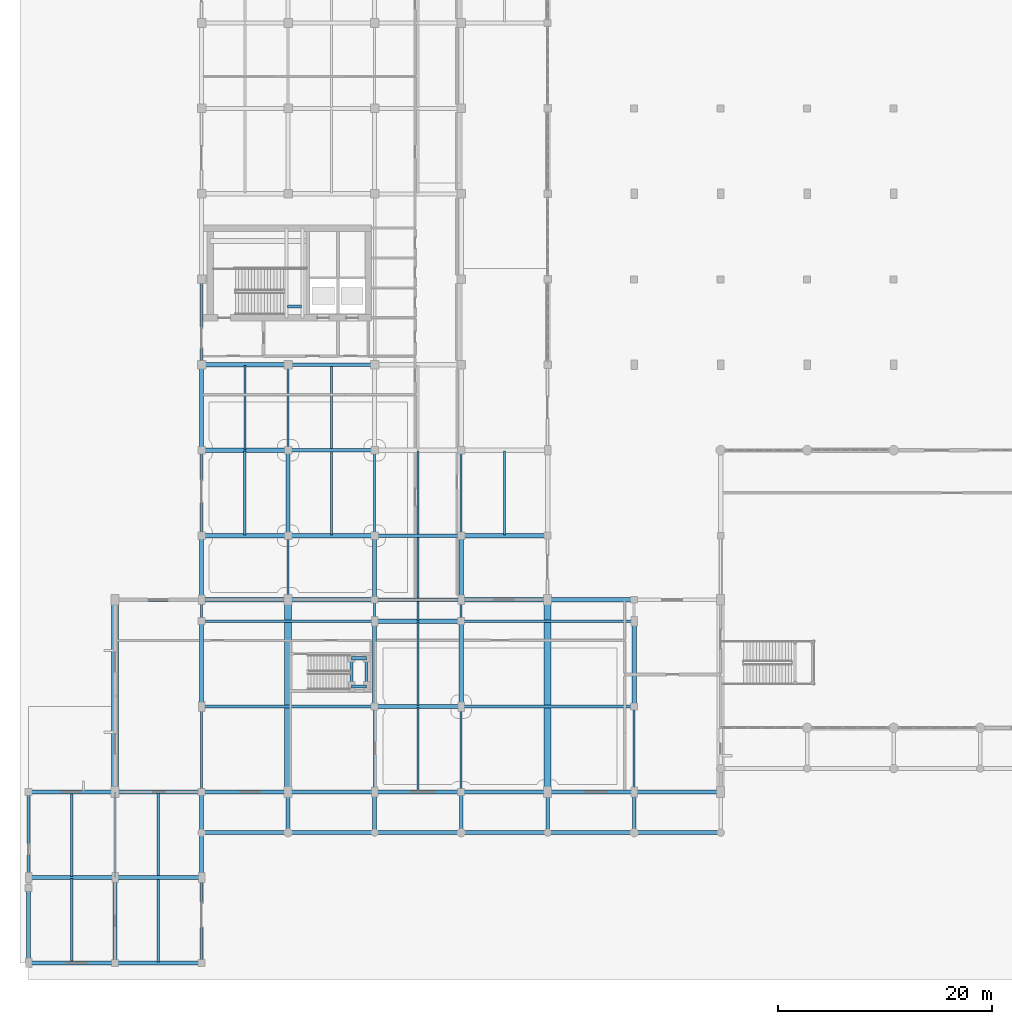
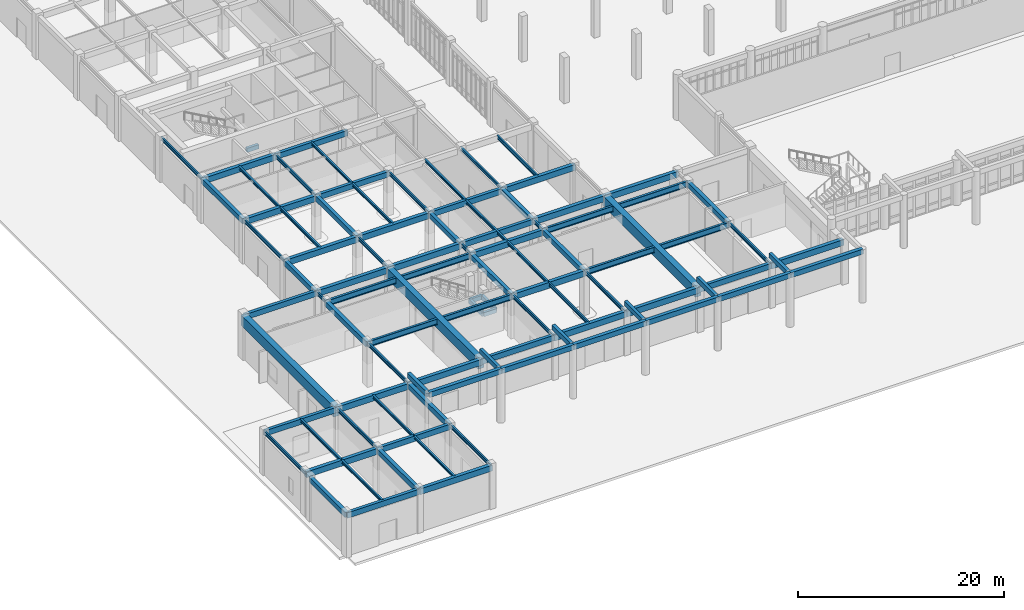
# One storey, part 5 of 62: 93 beams.
"""IFC4 building model written with IfcOpenShell, lengths in metres."""

from ifc_helpers import new_model, si_unit, direction, frame, origin, origin_2d, place, context, subcontext, project, spatial, rectangle, i_section, extrude, material, material_profile, profile_set, type_object, element, save


model = new_model("IFC4")

# Units and contexts
model_context = context("Model", 3, precision=1e-05, world=origin(), true_north=direction((0.0, 1.0)))
body_context = subcontext(model_context, "Body", "Model", "MODEL_VIEW")
ifc_project = project(units=[si_unit("LENGTHUNIT", "METRE"), si_unit("AREAUNIT", "SQUARE_METRE"), si_unit("VOLUMEUNIT", "CUBIC_METRE"), si_unit("PLANEANGLEUNIT", "RADIAN"), si_unit("MASSUNIT", "GRAM", prefix="KILO")], contexts=[model_context])

# Site, building, storey
site_placement = place(None, origin())
site = spatial("IfcSite", under=ifc_project, at=site_placement, CompositionType="ELEMENT")
building_placement = place(site_placement, origin())
building = spatial("IfcBuilding", under=site, at=building_placement, Name="Tarnveldt Square Police Headquarters", CompositionType="ELEMENT")
storey_placement = place(building_placement, origin())
storey = spatial("IfcBuildingStorey", under=building, at=storey_placement, Name="L00", CompositionType="ELEMENT", Elevation=0.0)

# Beams
ifc_material_1 = material(Name="Concrete 40 MPa", Category="concrete")
ifc_material_profile_1 = material_profile(ifc_material_1, rectangle(XDim=0.300048828125, YDim=0.5, at=origin_2d()), Name="RC-B300x500")
ifc_profile_set_1 = profile_set([ifc_material_profile_1], Name="Concrete 40 MPa")
beam_type_1 = type_object("IfcBeamType", Name="BM-RC300x500", PredefinedType="BEAM", material=ifc_profile_set_1)
beam_1_placement = place(storey_placement, frame((24.25, 61.449951171875, 2.25), z_axis=(1.0, 0.0, 0.0), x_axis=(0.0, 1.0, 0.0)))
element("IfcBeam", 1, at=beam_1_placement, inside=storey, type_object=beam_type_1, Name="ST1 L00 Half-Landing Support Beam 2", PredefinedType="BEAM", context=body_context, shape_type="SweptSolid", body=[
    extrude(rectangle(XDim=0.300048828125, YDim=0.5, at=origin_2d()), origin(), (0.0, 0.0, 1.0), 1.300048828125),
])
for number, where, z_axis, x_axis, name in (
    (2, (30.25, 25.8798828125, 2.27001953125), (0.0, 1.0, 0.0), (-1.0, 0.0, 0.0), "ST6 L00 Half-Landing West Support Beam"),
    (3, (31.64990234375, 25.8798828125, 2.27001953125), (0.0, 1.0, 0.0), (-1.0, 0.0, 0.0), "ST6 L00 Half-Landing East Support Beam"),
):
    element("IfcBeam", number, at=place(storey_placement, frame(where, z_axis=z_axis, x_axis=x_axis)), inside=storey, type_object=beam_type_1, Name=name, PredefinedType="BEAM", context=body_context, shape_type="SweptSolid", body=[
        extrude(rectangle(XDim=0.300048828125, YDim=0.5, at=origin_2d()), origin(), (0.0, 0.0, 1.0), 2.64013671875),
    ])
for number, where, z_axis, x_axis, name in (
    (4, (30.25, 25.8798828125, 2.27001953125), (1.0, 0.0, 0.0), (0.0, 1.0, 0.0), "ST6 L00 Half-Landing South Support Beam"),
    (5, (30.25, 28.52001953125, 2.27001953125), (1.0, 0.0, 0.0), (0.0, 1.0, 0.0), "ST6 L00 Half-Landing North Support Beam"),
):
    element("IfcBeam", number, at=place(storey_placement, frame(where, z_axis=z_axis, x_axis=x_axis)), inside=storey, type_object=beam_type_1, Name=name, PredefinedType="BEAM", context=body_context, shape_type="SweptSolid", body=[
        extrude(rectangle(XDim=0.300048828125, YDim=0.5, at=origin_2d()), origin(), (0.0, 0.0, 1.0), 1.39990234375),
    ])
ifc_material_profile_2 = material_profile(ifc_material_1, rectangle(XDim=0.35009765625, YDim=0.550048828125, at=origin_2d()), Name="RC-B350x550")
ifc_profile_set_2 = profile_set([ifc_material_profile_2], Name="Concrete 40 MPa")
beam_type_2 = type_object("IfcBeamType", Name="BM-RC350x550", PredefinedType="BEAM", material=ifc_profile_set_2)
for number, where, z_axis, x_axis, name in (
    (6, (16.199951171875, 12.199951171875, 6.0), (0.0, 1.0, 0.0), (-1.0, 0.0, 0.0), "Colonnade Tie Beam SW-2"),
    (7, (24.300048828125, 12.199951171875, 6.0), (0.0, 1.0, 0.0), (-1.0, 0.0, 0.0), "Colonnade Tie Beam SW-3"),
    (8, (32.39990234375, 12.199951171875, 6.0), (0.0, 1.0, 0.0), (-1.0, 0.0, 0.0), "Colonnade Tie Beam SW-4"),
    (9, (40.5, 12.199951171875, 6.0), (0.0, 1.0, 0.0), (-1.0, 0.0, 0.0), "Colonnade Tie Beam SW-5"),
    (10, (48.60009765625, 12.199951171875, 6.0), (0.0, 1.0, 0.0), (-1.0, 0.0, 0.0), "Colonnade Tie Beam SW-6"),
    (11, (56.699951171875, 12.199951171875, 6.0), (0.0, 1.0, 0.0), (-1.0, 0.0, 0.0), "Colonnade Tie Beam SW-7"),
):
    element("IfcBeam", number, at=place(storey_placement, frame(where, z_axis=z_axis, x_axis=x_axis)), inside=storey, type_object=beam_type_2, Name=name, PredefinedType="BEAM", context=body_context, shape_type="SweptSolid", body=[
        extrude(rectangle(XDim=0.35009765625, YDim=0.550048828125, at=origin_2d()), origin(), (0.0, 0.0, 1.0), 3.800048828125),
    ])
ifc_material_profile_3 = material_profile(ifc_material_1, rectangle(XDim=0.39990234375, YDim=0.60009765625, at=origin_2d()), Name="RC-B400x600")
ifc_profile_set_3 = profile_set([ifc_material_profile_3], Name="Concrete 40 MPa")
beam_type_3 = type_object("IfcBeamType", Name="BM-RC400x600", PredefinedType="BEAM", material=ifc_profile_set_3)
beam_2_placement = place(storey_placement, frame((0.0, 0.0, 4.820068359375), z_axis=(0.0, 1.0, 0.0), x_axis=(-1.0, 0.0, 0.0)))
element("IfcBeam", 12, at=beam_2_placement, inside=storey, type_object=beam_type_3, Name="L01 Grid Girder Y-0335", PredefinedType="BEAM", context=body_context, shape_type="SweptSolid", body=[
    extrude(rectangle(XDim=0.39990234375, YDim=0.60009765625, at=origin_2d()), origin(), (0.0, 0.0, 1.0), 7.0),
])
for number, where, z_axis, x_axis, name in (
    (13, (8.10009765625, 0.0, 4.820068359375), (0.0, 1.0, 0.0), (-1.0, 0.0, 0.0), "L01 Grid Girder Y-0337"),
    (14, (16.199951171875, 8.0, 4.820068359375), (0.0, 1.0, 0.0), (-1.0, 0.0, 0.0), "L01 Grid Girder Y-0341"),
    (15, (16.199951171875, 24.0, 4.820068359375), (0.0, 1.0, 0.0), (-1.0, 0.0, 0.0), "L01 Grid Girder Y-0343"),
):
    element("IfcBeam", number, at=place(storey_placement, frame(where, z_axis=z_axis, x_axis=x_axis)), inside=storey, type_object=beam_type_3, Name=name, PredefinedType="BEAM", context=body_context, shape_type="SweptSolid", body=[
        extrude(rectangle(XDim=0.39990234375, YDim=0.60009765625, at=origin_2d()), origin(), (0.0, 0.0, 1.0), 8.0),
    ])
beam_3_placement = place(storey_placement, frame((16.199951171875, 34.0, 4.820068359375), z_axis=(0.0, 1.0, 0.0), x_axis=(-1.0, 0.0, 0.0)))
element("IfcBeam", 16, at=beam_3_placement, inside=storey, type_object=beam_type_3, Name="L01 Grid Girder Y-0345", PredefinedType="BEAM", context=body_context, shape_type="SweptSolid", body=[
    extrude(rectangle(XDim=0.39990234375, YDim=0.60009765625, at=origin_2d()), origin(), (0.0, 0.0, 1.0), 6.0),
])
for number, where, z_axis, x_axis, name in (
    (17, (16.199951171875, 48.0, 4.820068359375), (0.0, 1.0, 0.0), (-1.0, 0.0, 0.0), "L01 Grid Girder Y-0347"),
    (18, (24.300048828125, 40.0, 4.820068359375), (0.0, 1.0, 0.0), (-1.0, 0.0, 0.0), "L01 Grid Girder Y-0357"),
    (19, (32.39990234375, 24.0, 4.820068359375), (0.0, 1.0, 0.0), (-1.0, 0.0, 0.0), "L01 Grid Girder Y-0363"),
):
    element("IfcBeam", number, at=place(storey_placement, frame(where, z_axis=z_axis, x_axis=x_axis)), inside=storey, type_object=beam_type_3, Name=name, PredefinedType="BEAM", context=body_context, shape_type="SweptSolid", body=[
        extrude(rectangle(XDim=0.39990234375, YDim=0.60009765625, at=origin_2d()), origin(), (0.0, 0.0, 1.0), 8.0),
    ])
beam_4_placement = place(storey_placement, frame((32.39990234375, 34.0, 4.820068359375), z_axis=(0.0, 1.0, 0.0), x_axis=(-1.0, 0.0, 0.0)))
element("IfcBeam", 20, at=beam_4_placement, inside=storey, type_object=beam_type_3, Name="L01 Grid Girder Y-0365", PredefinedType="BEAM", context=body_context, shape_type="SweptSolid", body=[
    extrude(rectangle(XDim=0.39990234375, YDim=0.60009765625, at=origin_2d()), origin(), (0.0, 0.0, 1.0), 6.0),
])
beam_5_placement = place(storey_placement, frame((40.5, 24.0, 4.820068359375), z_axis=(0.0, 1.0, 0.0), x_axis=(-1.0, 0.0, 0.0)))
element("IfcBeam", 21, at=beam_5_placement, inside=storey, type_object=beam_type_3, Name="L01 Grid Girder Y-0375", PredefinedType="BEAM", context=body_context, shape_type="SweptSolid", body=[
    extrude(rectangle(XDim=0.39990234375, YDim=0.60009765625, at=origin_2d()), origin(), (0.0, 0.0, 1.0), 8.0),
])
beam_6_placement = place(storey_placement, frame((40.5, 34.0, 4.820068359375), z_axis=(0.0, 1.0, 0.0), x_axis=(-1.0, 0.0, 0.0)))
element("IfcBeam", 22, at=beam_6_placement, inside=storey, type_object=beam_type_3, Name="L01 Grid Girder Y-0377", PredefinedType="BEAM", context=body_context, shape_type="SweptSolid", body=[
    extrude(rectangle(XDim=0.39990234375, YDim=0.60009765625, at=origin_2d()), origin(), (0.0, 0.0, 1.0), 6.0),
])
beam_7_placement = place(storey_placement, frame((56.699951171875, 24.0, 4.820068359375), z_axis=(0.0, 1.0, 0.0), x_axis=(-1.0, 0.0, 0.0)))
element("IfcBeam", 23, at=beam_7_placement, inside=storey, type_object=beam_type_3, Name="L01 Grid Girder Y-0397", PredefinedType="BEAM", context=body_context, shape_type="SweptSolid", body=[
    extrude(rectangle(XDim=0.39990234375, YDim=0.60009765625, at=origin_2d()), origin(), (0.0, 0.0, 1.0), 8.0),
])
beam_8_placement = place(storey_placement, frame((16.199951171875, 12.199951171875, 6.0), z_axis=(1.0, 0.0, 0.0), x_axis=(0.0, 1.0, 0.0)))
element("IfcBeam", 24, at=beam_8_placement, inside=storey, type_object=beam_type_3, Name="Colonnade Header Beam SW-2", PredefinedType="BEAM", context=body_context, shape_type="SweptSolid", body=[
    extrude(rectangle(XDim=0.39990234375, YDim=0.60009765625, at=origin_2d()), origin(), (0.0, 0.0, 1.0), 8.10009765625),
])
beam_9_placement = place(storey_placement, frame((24.300048828125, 12.199951171875, 6.0), z_axis=(1.0, 0.0, 0.0), x_axis=(0.0, 1.0, 0.0)))
element("IfcBeam", 25, at=beam_9_placement, inside=storey, type_object=beam_type_3, Name="Colonnade Header Beam SW-3", PredefinedType="BEAM", context=body_context, shape_type="SweptSolid", body=[
    extrude(rectangle(XDim=0.39990234375, YDim=0.60009765625, at=origin_2d()), origin(), (0.0, 0.0, 1.0), 8.099853515625),
])
for number, where, z_axis, x_axis, name in (
    (26, (32.39990234375, 12.199951171875, 6.0), (1.0, 0.0, 0.0), (0.0, 1.0, 0.0), "Colonnade Header Beam SW-4"),
    (27, (40.5, 12.199951171875, 6.0), (1.0, 0.0, 0.0), (0.0, 1.0, 0.0), "Colonnade Header Beam SW-5"),
):
    element("IfcBeam", number, at=place(storey_placement, frame(where, z_axis=z_axis, x_axis=x_axis)), inside=storey, type_object=beam_type_3, Name=name, PredefinedType="BEAM", context=body_context, shape_type="SweptSolid", body=[
        extrude(rectangle(XDim=0.39990234375, YDim=0.60009765625, at=origin_2d()), origin(), (0.0, 0.0, 1.0), 8.10009765625),
    ])
beam_10_placement = place(storey_placement, frame((48.60009765625, 12.199951171875, 6.0), z_axis=(1.0, 0.0, 0.0), x_axis=(0.0, 1.0, 0.0)))
element("IfcBeam", 28, at=beam_10_placement, inside=storey, type_object=beam_type_3, Name="Colonnade Header Beam SW-6", PredefinedType="BEAM", context=body_context, shape_type="SweptSolid", body=[
    extrude(rectangle(XDim=0.39990234375, YDim=0.60009765625, at=origin_2d()), origin(), (0.0, 0.0, 1.0), 8.099853515625),
])
beam_11_placement = place(storey_placement, frame((56.699951171875, 12.199951171875, 6.0), z_axis=(1.0, 0.0, 0.0), x_axis=(0.0, 1.0, 0.0)))
element("IfcBeam", 29, at=beam_11_placement, inside=storey, type_object=beam_type_3, Name="Colonnade Header Beam SW-7", PredefinedType="BEAM", context=body_context, shape_type="SweptSolid", body=[
    extrude(rectangle(XDim=0.39990234375, YDim=0.60009765625, at=origin_2d()), origin(), (0.0, 0.0, 1.0), 8.10009765625),
])
ifc_material_profile_4 = material_profile(ifc_material_1, rectangle(XDim=0.39990234375, YDim=0.699951171875, at=origin_2d()), Name="RC-B400x700")
ifc_profile_set_4 = profile_set([ifc_material_profile_4], Name="Concrete 40 MPa")
beam_type_4 = type_object("IfcBeamType", Name="BM-RC400x700", PredefinedType="BEAM", material=ifc_profile_set_4)
beam_12_placement = place(storey_placement, frame((8.10009765625, 0.0, 4.77001953125), z_axis=(1.0, 0.0, 0.0), x_axis=(0.0, 1.0, 0.0)))
element("IfcBeam", 30, at=beam_12_placement, inside=storey, type_object=beam_type_4, Name="L01 Grid Girder X-0221", PredefinedType="BEAM", context=body_context, shape_type="SweptSolid", body=[
    extrude(rectangle(XDim=0.39990234375, YDim=0.699951171875, at=origin_2d()), origin(), (0.0, 0.0, 1.0), 8.099853515625),
])
beam_13_placement = place(storey_placement, frame((0.0, 8.0, 4.77001953125), z_axis=(1.0, 0.0, 0.0), x_axis=(0.0, 1.0, 0.0)))
element("IfcBeam", 31, at=beam_13_placement, inside=storey, type_object=beam_type_4, Name="L01 Grid Girder X-0225", PredefinedType="BEAM", context=body_context, shape_type="SweptSolid", body=[
    extrude(rectangle(XDim=0.39990234375, YDim=0.699951171875, at=origin_2d()), origin(), (0.0, 0.0, 1.0), 8.10009765625),
])
beam_14_placement = place(storey_placement, frame((8.10009765625, 16.0, 4.77001953125), z_axis=(1.0, 0.0, 0.0), x_axis=(0.0, 1.0, 0.0)))
element("IfcBeam", 32, at=beam_14_placement, inside=storey, type_object=beam_type_4, Name="L01 Grid Girder X-0230", PredefinedType="BEAM", context=body_context, shape_type="SweptSolid", body=[
    extrude(rectangle(XDim=0.39990234375, YDim=0.699951171875, at=origin_2d()), origin(), (0.0, 0.0, 1.0), 8.099853515625),
])
for number, where, z_axis, x_axis, name in (
    (33, (16.199951171875, 16.0, 4.77001953125), (1.0, 0.0, 0.0), (0.0, 1.0, 0.0), "L01 Grid Girder X-0231"),
    (34, (32.39990234375, 16.0, 4.77001953125), (1.0, 0.0, 0.0), (0.0, 1.0, 0.0), "L01 Grid Girder X-0233"),
    (35, (40.5, 16.0, 4.77001953125), (1.0, 0.0, 0.0), (0.0, 1.0, 0.0), "L01 Grid Girder X-0234"),
    (36, (56.699951171875, 16.0, 4.77001953125), (1.0, 0.0, 0.0), (0.0, 1.0, 0.0), "L01 Grid Girder X-0236"),
    (37, (32.39990234375, 24.0, 4.77001953125), (1.0, 0.0, 0.0), (0.0, 1.0, 0.0), "L01 Grid Girder X-0245"),
    (38, (32.39990234375, 32.0, 4.77001953125), (1.0, 0.0, 0.0), (0.0, 1.0, 0.0), "L01 Grid Girder X-0251"),
    (39, (16.199951171875, 34.0, 4.77001953125), (1.0, 0.0, 0.0), (0.0, 1.0, 0.0), "L01 Grid Girder X-0257"),
):
    element("IfcBeam", number, at=place(storey_placement, frame(where, z_axis=z_axis, x_axis=x_axis)), inside=storey, type_object=beam_type_4, Name=name, PredefinedType="BEAM", context=body_context, shape_type="SweptSolid", body=[
        extrude(rectangle(XDim=0.39990234375, YDim=0.699951171875, at=origin_2d()), origin(), (0.0, 0.0, 1.0), 8.10009765625),
    ])
beam_15_placement = place(storey_placement, frame((24.300048828125, 34.0, 4.77001953125), z_axis=(1.0, 0.0, 0.0), x_axis=(0.0, 1.0, 0.0)))
element("IfcBeam", 40, at=beam_15_placement, inside=storey, type_object=beam_type_4, Name="L01 Grid Girder X-0258", PredefinedType="BEAM", context=body_context, shape_type="SweptSolid", body=[
    extrude(rectangle(XDim=0.39990234375, YDim=0.699951171875, at=origin_2d()), origin(), (0.0, 0.0, 1.0), 8.099853515625),
])
beam_16_placement = place(storey_placement, frame((40.5, 34.0, 4.77001953125), z_axis=(1.0, 0.0, 0.0), x_axis=(0.0, 1.0, 0.0)))
element("IfcBeam", 41, at=beam_16_placement, inside=storey, type_object=beam_type_4, Name="L01 Grid Girder X-0260", PredefinedType="BEAM", context=body_context, shape_type="SweptSolid", body=[
    extrude(rectangle(XDim=0.39990234375, YDim=0.699951171875, at=origin_2d()), origin(), (0.0, 0.0, 1.0), 8.10009765625),
])
beam_17_placement = place(storey_placement, frame((48.60009765625, 34.0, 4.77001953125), z_axis=(1.0, 0.0, 0.0), x_axis=(0.0, 1.0, 0.0)))
element("IfcBeam", 42, at=beam_17_placement, inside=storey, type_object=beam_type_4, Name="L01 Grid Girder X-0261", PredefinedType="BEAM", context=body_context, shape_type="SweptSolid", body=[
    extrude(rectangle(XDim=0.39990234375, YDim=0.699951171875, at=origin_2d()), origin(), (0.0, 0.0, 1.0), 8.099853515625),
])
beam_18_placement = place(storey_placement, frame((16.199951171875, 40.0, 4.77001953125), z_axis=(1.0, 0.0, 0.0), x_axis=(0.0, 1.0, 0.0)))
element("IfcBeam", 43, at=beam_18_placement, inside=storey, type_object=beam_type_4, Name="L01 Grid Girder X-0263", PredefinedType="BEAM", context=body_context, shape_type="SweptSolid", body=[
    extrude(rectangle(XDim=0.39990234375, YDim=0.699951171875, at=origin_2d()), origin(), (0.0, 0.0, 1.0), 8.10009765625),
])
beam_19_placement = place(storey_placement, frame((24.300048828125, 40.0, 4.77001953125), z_axis=(1.0, 0.0, 0.0), x_axis=(0.0, 1.0, 0.0)))
element("IfcBeam", 44, at=beam_19_placement, inside=storey, type_object=beam_type_4, Name="L01 Grid Girder X-0264", PredefinedType="BEAM", context=body_context, shape_type="SweptSolid", body=[
    extrude(rectangle(XDim=0.39990234375, YDim=0.699951171875, at=origin_2d()), origin(), (0.0, 0.0, 1.0), 8.099853515625),
])
for number, where, z_axis, x_axis, name in (
    (45, (40.5, 40.0, 4.77001953125), (1.0, 0.0, 0.0), (0.0, 1.0, 0.0), "L01 Grid Girder X-0266"),
    (46, (16.199951171875, 48.0, 4.77001953125), (1.0, 0.0, 0.0), (0.0, 1.0, 0.0), "L01 Grid Girder X-0270"),
    (47, (16.199951171875, 56.0, 4.77001953125), (1.0, 0.0, 0.0), (0.0, 1.0, 0.0), "L01 Grid Girder X-0282"),
):
    element("IfcBeam", number, at=place(storey_placement, frame(where, z_axis=z_axis, x_axis=x_axis)), inside=storey, type_object=beam_type_4, Name=name, PredefinedType="BEAM", context=body_context, shape_type="SweptSolid", body=[
        extrude(rectangle(XDim=0.39990234375, YDim=0.699951171875, at=origin_2d()), origin(), (0.0, 0.0, 1.0), 8.10009765625),
    ])
ifc_material_2 = material(Name="Concrete 50 MPa", Category="concrete")
ifc_material_profile_5 = material_profile(ifc_material_2, rectangle(XDim=0.64990234375, YDim=1.199951171875, at=origin_2d()), Name="RC-B650x1200")
ifc_profile_set_5 = profile_set([ifc_material_profile_5], Name="Concrete 50 MPa")
beam_type_5 = type_object("IfcBeamType", Name="BM-RC650x1200", PredefinedType="BEAM", material=ifc_profile_set_5)
for number, where, z_axis, x_axis, name in (
    (48, (8.10009765625, 16.0, 4.52001953125), (0.0, 1.0, 0.0), (-1.0, 0.0, 0.0), "L01 Grid Girder Y-0339"),
    (49, (24.300048828125, 16.0, 4.52001953125), (0.0, 1.0, 0.0), (-1.0, 0.0, 0.0), "L01 Grid Girder Y-0355"),
    (50, (48.60009765625, 16.0, 4.52001953125), (0.0, 1.0, 0.0), (-1.0, 0.0, 0.0), "L01 Grid Girder Y-0387"),
):
    element("IfcBeam", number, at=place(storey_placement, frame(where, z_axis=z_axis, x_axis=x_axis)), inside=storey, type_object=beam_type_5, Name=name, PredefinedType="BEAM", context=body_context, shape_type="SweptSolid", body=[
        extrude(rectangle(XDim=0.64990234375, YDim=1.199951171875, at=origin_2d()), origin(), (0.0, 0.0, 1.0), 18.0),
    ])
ifc_material_profile_6 = material_profile(ifc_material_1, rectangle(XDim=0.35009765625, YDim=0.64990234375, at=origin_2d()), Name="RC-SP350x650")
ifc_profile_set_6 = profile_set([ifc_material_profile_6], Name="Concrete 40 MPa")
beam_type_6 = type_object("IfcBeamType", Name="BM-SP350x650", PredefinedType="SPANDREL", material=ifc_profile_set_6)
beam_20_placement = place(storey_placement, frame((0.0, 0.0, 4.794921875), z_axis=(1.0, 0.0, 0.0), x_axis=(0.0, 1.0, 0.0)))
element("IfcBeam", 51, at=beam_20_placement, inside=storey, type_object=beam_type_6, Name="L01 Grid Girder X-0220", PredefinedType="SPANDREL", context=body_context, shape_type="SweptSolid", body=[
    extrude(rectangle(XDim=0.35009765625, YDim=0.64990234375, at=origin_2d()), origin(), (0.0, 0.0, 1.0), 8.10009765625),
])
beam_21_placement = place(storey_placement, frame((8.10009765625, 8.0, 4.794921875), z_axis=(1.0, 0.0, 0.0), x_axis=(0.0, 1.0, 0.0)))
element("IfcBeam", 52, at=beam_21_placement, inside=storey, type_object=beam_type_6, Name="L01 Grid Girder X-0226", PredefinedType="SPANDREL", context=body_context, shape_type="SweptSolid", body=[
    extrude(rectangle(XDim=0.35009765625, YDim=0.64990234375, at=origin_2d()), origin(), (0.0, 0.0, 1.0), 8.099853515625),
])
beam_22_placement = place(storey_placement, frame((0.0, 16.0, 4.794921875), z_axis=(1.0, 0.0, 0.0), x_axis=(0.0, 1.0, 0.0)))
element("IfcBeam", 53, at=beam_22_placement, inside=storey, type_object=beam_type_6, Name="L01 Grid Girder X-0229", PredefinedType="SPANDREL", context=body_context, shape_type="SweptSolid", body=[
    extrude(rectangle(XDim=0.35009765625, YDim=0.64990234375, at=origin_2d()), origin(), (0.0, 0.0, 1.0), 8.10009765625),
])
for number, where, z_axis, x_axis, name in (
    (54, (24.300048828125, 16.0, 4.794921875), (1.0, 0.0, 0.0), (0.0, 1.0, 0.0), "L01 Grid Girder X-0232"),
    (55, (48.60009765625, 16.0, 4.794921875), (1.0, 0.0, 0.0), (0.0, 1.0, 0.0), "L01 Grid Girder X-0235"),
    (56, (8.10009765625, 34.0, 4.794921875), (1.0, 0.0, 0.0), (0.0, 1.0, 0.0), "L01 Grid Girder X-0256"),
):
    element("IfcBeam", number, at=place(storey_placement, frame(where, z_axis=z_axis, x_axis=x_axis)), inside=storey, type_object=beam_type_6, Name=name, PredefinedType="SPANDREL", context=body_context, shape_type="SweptSolid", body=[
        extrude(rectangle(XDim=0.35009765625, YDim=0.64990234375, at=origin_2d()), origin(), (0.0, 0.0, 1.0), 8.099853515625),
    ])
for number, where, z_axis, x_axis, name in (
    (57, (32.39990234375, 34.0, 4.794921875), (1.0, 0.0, 0.0), (0.0, 1.0, 0.0), "L01 Grid Girder X-0259"),
    (58, (32.39990234375, 40.0, 4.794921875), (1.0, 0.0, 0.0), (0.0, 1.0, 0.0), "L01 Grid Girder X-0265"),
):
    element("IfcBeam", number, at=place(storey_placement, frame(where, z_axis=z_axis, x_axis=x_axis)), inside=storey, type_object=beam_type_6, Name=name, PredefinedType="SPANDREL", context=body_context, shape_type="SweptSolid", body=[
        extrude(rectangle(XDim=0.35009765625, YDim=0.64990234375, at=origin_2d()), origin(), (0.0, 0.0, 1.0), 8.10009765625),
    ])
for number, where, z_axis, x_axis, name in (
    (59, (24.300048828125, 48.0, 4.794921875), (1.0, 0.0, 0.0), (0.0, 1.0, 0.0), "L01 Grid Girder X-0271"),
    (60, (24.300048828125, 56.0, 4.794921875), (1.0, 0.0, 0.0), (0.0, 1.0, 0.0), "L01 Grid Girder X-0283"),
):
    element("IfcBeam", number, at=place(storey_placement, frame(where, z_axis=z_axis, x_axis=x_axis)), inside=storey, type_object=beam_type_6, Name=name, PredefinedType="SPANDREL", context=body_context, shape_type="SweptSolid", body=[
        extrude(rectangle(XDim=0.35009765625, YDim=0.64990234375, at=origin_2d()), origin(), (0.0, 0.0, 1.0), 8.099853515625),
    ])
ifc_material_3 = material(Name="Steel 350W", Category="steel")
ifc_material_profile_7 = material_profile(ifc_material_3, i_section(OverallWidth=0.202880859375, OverallDepth=0.302978515625, WebThickness=0.007568359375, FlangeThickness=0.01318359375, FilletRadius=0.014892578125, at=origin_2d()), Name="W310x60")
ifc_profile_set_7 = profile_set([ifc_material_profile_7], Name="Steel 350W")
beam_type_7 = type_object("IfcBeamType", Name="BM-W310x60", PredefinedType="JOIST", material=ifc_profile_set_7)
for number, where, z_axis, x_axis, name in (
    (61, (12.14990234375, 0.080078125, 4.968505859375), (0.0, 1.0, 0.0), (-1.0, 0.0, 0.0), "L01 Secondary Floor Joist 0048"),
    (62, (36.449951171875, 40.080078125, 4.968505859375), (0.0, 1.0, 0.0), (-1.0, 0.0, 0.0), "L01 Secondary Floor Joist 0064"),
    (63, (28.35009765625, 48.080078125, 4.968505859375), (0.0, 1.0, 0.0), (-1.0, 0.0, 0.0), "L01 Secondary Floor Joist 0068"),
):
    element("IfcBeam", number, at=place(storey_placement, frame(where, z_axis=z_axis, x_axis=x_axis)), inside=storey, type_object=beam_type_7, Name=name, PredefinedType="JOIST", context=body_context, shape_type="SweptSolid", body=[
        extrude(i_section(OverallWidth=0.202880859375, OverallDepth=0.302978515625, WebThickness=0.007568359375, FlangeThickness=0.01318359375, FilletRadius=0.014892578125, at=origin_2d()), origin(), (0.0, 0.0, 1.0), 7.83984375),
    ])
ifc_material_profile_8 = material_profile(ifc_material_3, i_section(OverallWidth=0.202880859375, OverallDepth=0.346923828125, WebThickness=0.0078125, FlangeThickness=0.013427734375, FilletRadius=0.01611328125, at=origin_2d()), Name="W360x64")
ifc_profile_set_8 = profile_set([ifc_material_profile_8], Name="Steel 350W")
beam_type_8 = type_object("IfcBeamType", Name="BM-W360x64", PredefinedType="JOIST", material=ifc_profile_set_8)
for number, where, z_axis, x_axis, name in (
    (64, (4.050048828125, 0.080078125, 4.946533203125), (0.0, 1.0, 0.0), (-1.0, 0.0, 0.0), "L01 Secondary Floor Joist 0047"),
    (65, (12.14990234375, 8.080078125, 4.946533203125), (0.0, 1.0, 0.0), (-1.0, 0.0, 0.0), "L01 Secondary Floor Joist 0051"),
    (66, (36.449951171875, 24.080078125, 4.946533203125), (0.0, 1.0, 0.0), (-1.0, 0.0, 0.0), "L01 Secondary Floor Joist 0055"),
    (67, (28.35009765625, 40.080078125, 4.946533203125), (0.0, 1.0, 0.0), (-1.0, 0.0, 0.0), "L01 Secondary Floor Joist 0063"),
    (68, (20.25, 48.080078125, 4.946533203125), (0.0, 1.0, 0.0), (-1.0, 0.0, 0.0), "L01 Secondary Floor Joist 0067"),
):
    element("IfcBeam", number, at=place(storey_placement, frame(where, z_axis=z_axis, x_axis=x_axis)), inside=storey, type_object=beam_type_8, Name=name, PredefinedType="JOIST", context=body_context, shape_type="SweptSolid", body=[
        extrude(i_section(OverallWidth=0.202880859375, OverallDepth=0.346923828125, WebThickness=0.0078125, FlangeThickness=0.013427734375, FilletRadius=0.01611328125, at=origin_2d()), origin(), (0.0, 0.0, 1.0), 7.83984375),
    ])
ifc_material_profile_9 = material_profile(ifc_material_3, i_section(OverallWidth=0.205078125, OverallDepth=0.35400390625, WebThickness=0.009521484375, FlangeThickness=0.016845703125, FilletRadius=0.01611328125, at=origin_2d()), Name="W360x79")
ifc_profile_set_9 = profile_set([ifc_material_profile_9], Name="Steel 350W")
beam_type_9 = type_object("IfcBeamType", Name="BM-W360x79", PredefinedType="JOIST", material=ifc_profile_set_9)
for number, where, z_axis, x_axis, name in (
    (69, (4.050048828125, 8.080078125, 4.943115234375), (0.0, 1.0, 0.0), (-1.0, 0.0, 0.0), "L01 Secondary Floor Joist 0050"),
    (70, (36.449951171875, 32.080078125, 4.943115234375), (0.0, 1.0, 0.0), (-1.0, 0.0, 0.0), "L01 Secondary Floor Joist 0058"),
    (71, (20.25, 40.080078125, 4.943115234375), (0.0, 1.0, 0.0), (-1.0, 0.0, 0.0), "L01 Secondary Floor Joist 0062"),
):
    element("IfcBeam", number, at=place(storey_placement, frame(where, z_axis=z_axis, x_axis=x_axis)), inside=storey, type_object=beam_type_9, Name=name, PredefinedType="JOIST", context=body_context, shape_type="SweptSolid", body=[
        extrude(i_section(OverallWidth=0.205078125, OverallDepth=0.35400390625, WebThickness=0.009521484375, FlangeThickness=0.016845703125, FilletRadius=0.01611328125, at=origin_2d()), origin(), (0.0, 0.0, 1.0), 7.83984375),
    ])
ifc_material_profile_10 = material_profile(ifc_material_3, i_section(OverallWidth=0.177978515625, OverallDepth=0.406982421875, WebThickness=0.0078125, FlangeThickness=0.0126953125, FilletRadius=0.01611328125, at=origin_2d()), Name="W410x60")
ifc_profile_set_10 = profile_set([ifc_material_profile_10], Name="Steel 350W")
beam_type_10 = type_object("IfcBeamType", Name="BM-W410x60", PredefinedType="JOIST", material=ifc_profile_set_10)
for number, where, z_axis, x_axis, name in (
    (72, (36.449951171875, 16.080078125, 4.91650390625), (0.0, 1.0, 0.0), (-1.0, 0.0, 0.0), "L01 Secondary Floor Joist 0053"),
    (73, (44.550048828125, 40.080078125, 4.91650390625), (0.0, 1.0, 0.0), (-1.0, 0.0, 0.0), "L01 Secondary Floor Joist 0065"),
):
    element("IfcBeam", number, at=place(storey_placement, frame(where, z_axis=z_axis, x_axis=x_axis)), inside=storey, type_object=beam_type_10, Name=name, PredefinedType="JOIST", context=body_context, shape_type="SweptSolid", body=[
        extrude(i_section(OverallWidth=0.177978515625, OverallDepth=0.406982421875, WebThickness=0.0078125, FlangeThickness=0.0126953125, FilletRadius=0.01611328125, at=origin_2d()), origin(), (0.0, 0.0, 1.0), 7.83984375),
    ])
ifc_material_profile_11 = material_profile(ifc_material_3, i_section(OverallWidth=0.180908203125, OverallDepth=0.4169921875, WebThickness=0.010986328125, FlangeThickness=0.018310546875, FilletRadius=0.01611328125, at=origin_2d()), Name="W410x85")
ifc_profile_set_11 = profile_set([ifc_material_profile_11], Name="Steel 350W")
beam_type_11 = type_object("IfcBeamType", Name="BM-W410x85", PredefinedType="BEAM", material=ifc_profile_set_11)
for number, where, z_axis, x_axis, name in (
    (74, (0.0, 8.0, 4.91162109375), (0.0, 1.0, 0.0), (-1.0, 0.0, 0.0), "L01 Grid Girder Y-0336"),
    (75, (8.10009765625, 8.0, 4.91162109375), (0.0, 1.0, 0.0), (-1.0, 0.0, 0.0), "L01 Grid Girder Y-0338"),
    (76, (16.199951171875, 0.0, 4.91162109375), (0.0, 1.0, 0.0), (-1.0, 0.0, 0.0), "L01 Grid Girder Y-0340"),
    (77, (16.199951171875, 16.0, 4.91162109375), (0.0, 1.0, 0.0), (-1.0, 0.0, 0.0), "L01 Grid Girder Y-0342"),
):
    element("IfcBeam", number, at=place(storey_placement, frame(where, z_axis=z_axis, x_axis=x_axis)), inside=storey, type_object=beam_type_11, Name=name, PredefinedType="BEAM", context=body_context, shape_type="SweptSolid", body=[
        extrude(i_section(OverallWidth=0.180908203125, OverallDepth=0.4169921875, WebThickness=0.010986328125, FlangeThickness=0.018310546875, FilletRadius=0.01611328125, at=origin_2d()), origin(), (0.0, 0.0, 1.0), 8.0),
    ])
beam_23_placement = place(storey_placement, frame((16.199951171875, 32.0, 4.91162109375), z_axis=(0.0, 1.0, 0.0), x_axis=(-1.0, 0.0, 0.0)))
element("IfcBeam", 78, at=beam_23_placement, inside=storey, type_object=beam_type_11, Name="L01 Grid Girder Y-0344", PredefinedType="BEAM", context=body_context, shape_type="SweptSolid", body=[
    extrude(i_section(OverallWidth=0.180908203125, OverallDepth=0.4169921875, WebThickness=0.010986328125, FlangeThickness=0.018310546875, FilletRadius=0.01611328125, at=origin_2d()), origin(), (0.0, 0.0, 1.0), 2.0),
])
for number, where, z_axis, x_axis, name in (
    (79, (16.199951171875, 40.0, 4.91162109375), (0.0, 1.0, 0.0), (-1.0, 0.0, 0.0), "L01 Grid Girder Y-0346"),
    (80, (16.199951171875, 56.0, 4.91162109375), (0.0, 1.0, 0.0), (-1.0, 0.0, 0.0), "L01 Grid Girder Y-0348"),
):
    element("IfcBeam", number, at=place(storey_placement, frame(where, z_axis=z_axis, x_axis=x_axis)), inside=storey, type_object=beam_type_11, Name=name, PredefinedType="BEAM", context=body_context, shape_type="SweptSolid", body=[
        extrude(i_section(OverallWidth=0.180908203125, OverallDepth=0.4169921875, WebThickness=0.010986328125, FlangeThickness=0.018310546875, FilletRadius=0.01611328125, at=origin_2d()), origin(), (0.0, 0.0, 1.0), 8.0),
    ])
beam_24_placement = place(storey_placement, frame((24.300048828125, 34.0, 4.91162109375), z_axis=(0.0, 1.0, 0.0), x_axis=(-1.0, 0.0, 0.0)))
element("IfcBeam", 81, at=beam_24_placement, inside=storey, type_object=beam_type_11, Name="L01 Grid Girder Y-0356", PredefinedType="BEAM", context=body_context, shape_type="SweptSolid", body=[
    extrude(i_section(OverallWidth=0.180908203125, OverallDepth=0.4169921875, WebThickness=0.010986328125, FlangeThickness=0.018310546875, FilletRadius=0.01611328125, at=origin_2d()), origin(), (0.0, 0.0, 1.0), 6.0),
])
for number, where, z_axis, x_axis, name in (
    (82, (24.300048828125, 48.0, 4.91162109375), (0.0, 1.0, 0.0), (-1.0, 0.0, 0.0), "L01 Grid Girder Y-0358"),
    (83, (32.39990234375, 16.0, 4.91162109375), (0.0, 1.0, 0.0), (-1.0, 0.0, 0.0), "L01 Grid Girder Y-0362"),
):
    element("IfcBeam", number, at=place(storey_placement, frame(where, z_axis=z_axis, x_axis=x_axis)), inside=storey, type_object=beam_type_11, Name=name, PredefinedType="BEAM", context=body_context, shape_type="SweptSolid", body=[
        extrude(i_section(OverallWidth=0.180908203125, OverallDepth=0.4169921875, WebThickness=0.010986328125, FlangeThickness=0.018310546875, FilletRadius=0.01611328125, at=origin_2d()), origin(), (0.0, 0.0, 1.0), 8.0),
    ])
beam_25_placement = place(storey_placement, frame((32.39990234375, 32.0, 4.91162109375), z_axis=(0.0, 1.0, 0.0), x_axis=(-1.0, 0.0, 0.0)))
element("IfcBeam", 84, at=beam_25_placement, inside=storey, type_object=beam_type_11, Name="L01 Grid Girder Y-0364", PredefinedType="BEAM", context=body_context, shape_type="SweptSolid", body=[
    extrude(i_section(OverallWidth=0.180908203125, OverallDepth=0.4169921875, WebThickness=0.010986328125, FlangeThickness=0.018310546875, FilletRadius=0.01611328125, at=origin_2d()), origin(), (0.0, 0.0, 1.0), 2.0),
])
for number, where, z_axis, x_axis, name in (
    (85, (32.39990234375, 40.0, 4.91162109375), (0.0, 1.0, 0.0), (-1.0, 0.0, 0.0), "L01 Grid Girder Y-0366"),
    (86, (40.5, 16.0, 4.91162109375), (0.0, 1.0, 0.0), (-1.0, 0.0, 0.0), "L01 Grid Girder Y-0374"),
):
    element("IfcBeam", number, at=place(storey_placement, frame(where, z_axis=z_axis, x_axis=x_axis)), inside=storey, type_object=beam_type_11, Name=name, PredefinedType="BEAM", context=body_context, shape_type="SweptSolid", body=[
        extrude(i_section(OverallWidth=0.180908203125, OverallDepth=0.4169921875, WebThickness=0.010986328125, FlangeThickness=0.018310546875, FilletRadius=0.01611328125, at=origin_2d()), origin(), (0.0, 0.0, 1.0), 8.0),
    ])
beam_26_placement = place(storey_placement, frame((40.5, 32.0, 4.91162109375), z_axis=(0.0, 1.0, 0.0), x_axis=(-1.0, 0.0, 0.0)))
element("IfcBeam", 87, at=beam_26_placement, inside=storey, type_object=beam_type_11, Name="L01 Grid Girder Y-0376", PredefinedType="BEAM", context=body_context, shape_type="SweptSolid", body=[
    extrude(i_section(OverallWidth=0.180908203125, OverallDepth=0.4169921875, WebThickness=0.010986328125, FlangeThickness=0.018310546875, FilletRadius=0.01611328125, at=origin_2d()), origin(), (0.0, 0.0, 1.0), 2.0),
])
for number, where, z_axis, x_axis, name in (
    (88, (40.5, 40.0, 4.91162109375), (0.0, 1.0, 0.0), (-1.0, 0.0, 0.0), "L01 Grid Girder Y-0378"),
    (89, (56.699951171875, 16.0, 4.91162109375), (0.0, 1.0, 0.0), (-1.0, 0.0, 0.0), "L01 Grid Girder Y-0396"),
):
    element("IfcBeam", number, at=place(storey_placement, frame(where, z_axis=z_axis, x_axis=x_axis)), inside=storey, type_object=beam_type_11, Name=name, PredefinedType="BEAM", context=body_context, shape_type="SweptSolid", body=[
        extrude(i_section(OverallWidth=0.180908203125, OverallDepth=0.4169921875, WebThickness=0.010986328125, FlangeThickness=0.018310546875, FilletRadius=0.01611328125, at=origin_2d()), origin(), (0.0, 0.0, 1.0), 8.0),
    ])
ifc_material_profile_12 = material_profile(ifc_material_3, i_section(OverallWidth=0.25390625, OverallDepth=0.68798828125, WebThickness=0.01318359375, FlangeThickness=0.02099609375, FilletRadius=0.02001953125, at=origin_2d()), Name="W690x152")
ifc_profile_set_12 = profile_set([ifc_material_profile_12], Name="Steel 350W")
beam_type_12 = type_object("IfcBeamType", Name="BM-W690x152", PredefinedType="BEAM", material=ifc_profile_set_12)
for number, where, z_axis, x_axis, name in (
    (90, (16.199951171875, 24.0, 4.77587890625), (1.0, 0.0, 0.0), (0.0, 1.0, 0.0), "L01 Grid Girder X-0244"),
    (91, (40.5, 24.0, 4.77587890625), (1.0, 0.0, 0.0), (0.0, 1.0, 0.0), "L01 Grid Girder X-0246"),
    (92, (16.199951171875, 32.0, 4.77587890625), (1.0, 0.0, 0.0), (0.0, 1.0, 0.0), "L01 Grid Girder X-0250"),
    (93, (40.5, 32.0, 4.77587890625), (1.0, 0.0, 0.0), (0.0, 1.0, 0.0), "L01 Grid Girder X-0252"),
):
    element("IfcBeam", number, at=place(storey_placement, frame(where, z_axis=z_axis, x_axis=x_axis)), inside=storey, type_object=beam_type_12, Name=name, PredefinedType="BEAM", context=body_context, shape_type="SweptSolid", body=[
        extrude(i_section(OverallWidth=0.25390625, OverallDepth=0.68798828125, WebThickness=0.01318359375, FlangeThickness=0.02099609375, FilletRadius=0.02001953125, at=origin_2d()), origin(), (0.0, 0.0, 1.0), 16.199951171875),
    ])

save(model, "model.ifc")
